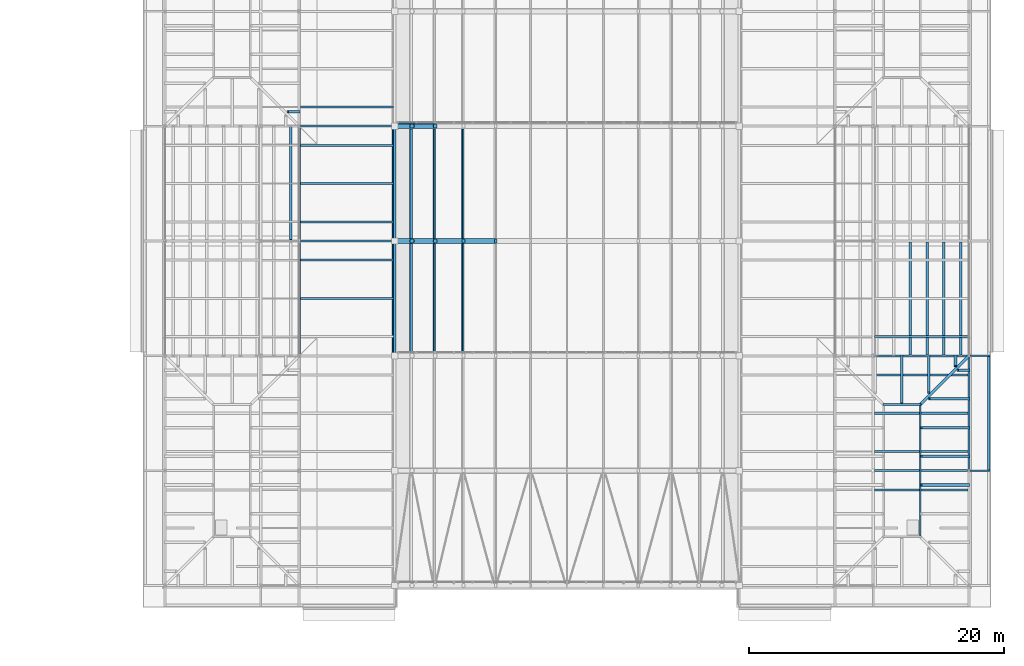
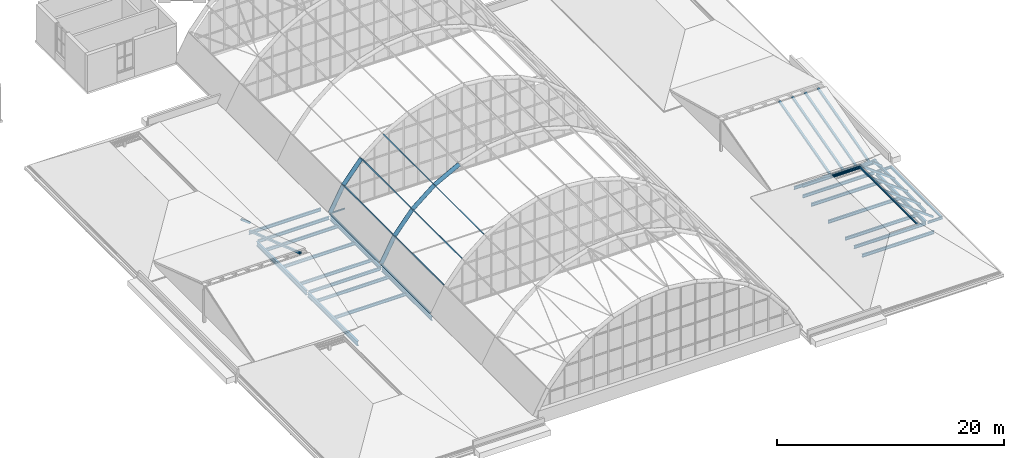
# One storey, part 32 of 121: 32 members, 25 beams, 1 element without a shape of its own.
"""IFC4 building model written with IfcOpenShell, lengths in metres."""

from ifc_helpers import new_model, si_unit, direction, frame, origin, origin_2d, place, context, subcontext, project, spatial, hollow_rectangle, hollow_circle, i_section, extrude, material, material_profile, profile_set, type_object, element, aggregate, save


model = new_model("IFC4")

# Units and contexts
model_context = context("Model", 3, precision=1e-05, world=origin(), true_north=direction((0.0, 1.0)))
body_context = subcontext(model_context, "Body", "Model", "MODEL_VIEW")
ifc_project = project(units=[si_unit("LENGTHUNIT", "METRE"), si_unit("AREAUNIT", "SQUARE_METRE"), si_unit("VOLUMEUNIT", "CUBIC_METRE"), si_unit("PLANEANGLEUNIT", "RADIAN"), si_unit("MASSUNIT", "GRAM", prefix="KILO")], contexts=[model_context])

# Site, building, storey
site_placement = place(None, origin())
site = spatial("IfcSite", under=ifc_project, at=site_placement, CompositionType="ELEMENT")
building_placement = place(site_placement, origin())
building = spatial("IfcBuilding", under=site, at=building_placement, Name="Golden Quay Civic Hall", CompositionType="ELEMENT")
storey_placement = place(building_placement, frame((0.0, 0.0, 18.60009765625)))
storey = spatial("IfcBuildingStorey", under=building, at=storey_placement, Name="L04", CompositionType="ELEMENT", Elevation=18.60009765625)

# Beams
ifc_material_1 = material(Name="Steel S355", Category="steel")
ifc_material_profile_1 = material_profile(ifc_material_1, i_section(OverallWidth=0.199951171875, OverallDepth=0.18994140625, WebThickness=0.006591796875, FlangeThickness=0.010009765625, FilletRadius=0.01806640625, at=origin_2d()), Name="HEA 200")
ifc_profile_set_1 = profile_set([ifc_material_profile_1], Name="Steel S355")
beam_type_1 = type_object("IfcBeamType", Name="Eave edge beam HEA 200", PredefinedType="BEAM", material=ifc_profile_set_1)
beam_1_placement = place(storey_placement, frame((118.550048828125, 9.0673828125, -0.34521484375), z_axis=(0.0, 1.0, 0.0), x_axis=(-1.0, 0.0, 0.0)))
element("IfcBeam", 1, at=beam_1_placement, inside=storey, type_object=beam_type_1, Name="Eave edge beam HEA 200 L04 17", PredefinedType="BEAM", context=body_context, shape_type="SweptSolid", body=[
    extrude(i_section(OverallWidth=0.199951171875, OverallDepth=0.18994140625, WebThickness=0.006591796875, FlangeThickness=0.010009765625, FilletRadius=0.01806640625, at=origin_2d()), origin(), (0.0, 0.0, 1.0), 8.865234375),
])
ifc_material_2 = material(Name="Steel S355", Category="steel")
ifc_material_profile_2 = material_profile(ifc_material_2, i_section(OverallWidth=0.135009765625, OverallDepth=0.27001953125, WebThickness=0.006591796875, FlangeThickness=0.01025390625, FilletRadius=0.014892578125, at=origin_2d()), Name="IPE 270")
ifc_profile_set_2 = profile_set([ifc_material_profile_2], Name="Steel S355")
beam_type_2 = type_object("IfcBeamType", Name="Eave stub IPE 270", PredefinedType="BEAM", material=ifc_profile_set_2)
for number, where, z_axis, x_axis, name in (
    (2, (117.10009765625, 9.0, -0.385009765625), (1.0, 0.0, 0.0), (0.0, 1.0, 0.0), "Eave stub IPE 270 L04 21"),
    (3, (117.10009765625, 18.0, -0.385009765625), (1.0, 0.0, 0.0), (0.0, 1.0, 0.0), "Eave stub IPE 270 L04 22"),
):
    element("IfcBeam", number, at=place(storey_placement, frame(where, z_axis=z_axis, x_axis=x_axis)), inside=storey, type_object=beam_type_2, Name=name, PredefinedType="BEAM", context=body_context, shape_type="SweptSolid", body=[
        extrude(i_section(OverallWidth=0.135009765625, OverallDepth=0.27001953125, WebThickness=0.006591796875, FlangeThickness=0.01025390625, FilletRadius=0.014892578125, at=origin_2d()), origin(), (0.0, 0.0, 1.0), 1.5498046875),
    ])

# Curtain wall, member
ifc_material_3 = material(Name="Fire-resisting glass and steel", Category="steel")
curtain_wall_type = type_object("IfcCurtainWallType", Name="Fire-resisting glazed curtain wall EI 120", PredefinedType="NOTDEFINED", material=ifc_material_3)
curtain_wall_placement = place(storey_placement, origin())
curtain_wall = element("IfcCurtainWall", 4, at=curtain_wall_placement, inside=storey, type_object=curtain_wall_type, Name="Curtain wall tympanum fire2", PredefinedType="NOTDEFINED")
ifc_material_4 = material(Name="Steel S355", Category="steel")
ifc_material_profile_3 = material_profile(ifc_material_4, hollow_rectangle(XDim=0.1201171875, YDim=0.1201171875, WallThickness=0.008056640625, at=origin_2d()), Name="SHS 120x120x8")
ifc_profile_set_3 = profile_set([ifc_material_profile_3], Name="Steel S355")
member_type_1 = type_object("IfcMemberType", Name="Fire-resisting steel transom SHS 120x120x8", PredefinedType="USERDEFINED", material=ifc_profile_set_3)
member_1_placement = place(storey_placement, frame((72.320068359375, 36.27001953125, -0.190185546875), z_axis=(1.0, 0.0, 0.0), x_axis=(0.0, 1.0, 0.0)))
member_1 = element("IfcMember", 5, at=member_1_placement, type_object=member_type_1, Name="Tympanum transom 1.1", ObjectType="TRANSOM", PredefinedType="USERDEFINED", context=body_context, shape_type="SweptSolid", body=[
    extrude(hollow_rectangle(XDim=0.1201171875, YDim=0.1201171875, WallThickness=0.008056640625, at=origin_2d()), origin(), (0.0, 0.0, 1.0), 1.297607421875),
])
aggregate(curtain_wall, [member_1])

# Members
ifc_material_5 = material(Name="Steel S355", Category="steel")
ifc_material_profile_4 = material_profile(ifc_material_5, hollow_circle(Radius=0.203125, WallThickness=0.01611328125, at=origin_2d()), Name="CHS 406.4x16")
ifc_profile_set_4 = profile_set([ifc_material_profile_4], Name="Steel S355")
member_type_2 = type_object("IfcMemberType", Name="Steel arch rib CHS 406.4x16", PredefinedType="USERDEFINED", material=ifc_profile_set_4)
for number, where, z_axis, x_axis, name in (
    (6, (72.0, 27.0, 0.099853515625), (0.473092307375, 0.0, 0.881012865231), (0.0, 1.0, 0.0), "Arch rib 4 segment 1"),
    (7, (73.35400390625, 27.0, 2.621337890625), (0.635608575128, 0.0, 0.772011489049), (0.0, 1.0, 0.0), "Arch rib 4 segment 2"),
):
    element("IfcMember", number, at=place(storey_placement, frame(where, z_axis=z_axis, x_axis=x_axis)), inside=storey, type_object=member_type_2, Name=name, ObjectType="ARCH RIB", PredefinedType="USERDEFINED", context=body_context, shape_type="SweptSolid", body=[
        extrude(hollow_circle(Radius=0.203125, WallThickness=0.01611328125, at=origin_2d()), origin(), (0.0, 0.0, 1.0), 2.862060546875),
    ])
for number, where, z_axis, x_axis, name in (
    (8, (75.173095703125, 27.0, 4.830810546875), (0.773786223221, 0.0, 0.633446825514), (0.0, 1.0, 0.0), "Arch rib 4 segment 3"),
    (9, (77.387451171875, 27.0, 6.6435546875), (0.882326964097, 0.0, 0.470636939082), (0.0, 1.0, 0.0), "Arch rib 4 segment 4"),
):
    element("IfcMember", number, at=place(storey_placement, frame(where, z_axis=z_axis, x_axis=x_axis)), inside=storey, type_object=member_type_2, Name=name, ObjectType="ARCH RIB", PredefinedType="USERDEFINED", context=body_context, shape_type="SweptSolid", body=[
        extrude(hollow_circle(Radius=0.203125, WallThickness=0.01611328125, at=origin_2d()), origin(), (0.0, 0.0, 1.0), 2.86181640625),
    ])
for number, where, z_axis, x_axis, name in (
    (10, (72.0, 36.0, 0.099853515625), (0.473092307375, 0.0, 0.881012865231), (0.0, 1.0, 0.0), "Arch rib 5 segment 1"),
    (11, (73.35400390625, 36.0, 2.621337890625), (0.635608575128, 0.0, 0.772011489049), (0.0, 1.0, 0.0), "Arch rib 5 segment 2"),
):
    element("IfcMember", number, at=place(storey_placement, frame(where, z_axis=z_axis, x_axis=x_axis)), inside=storey, type_object=member_type_2, Name=name, ObjectType="ARCH RIB", PredefinedType="USERDEFINED", context=body_context, shape_type="SweptSolid", body=[
        extrude(hollow_circle(Radius=0.203125, WallThickness=0.01611328125, at=origin_2d()), origin(), (0.0, 0.0, 1.0), 2.862060546875),
    ])

# Beams
ifc_material_6 = material(Name="Steel S355", Category="steel")
ifc_material_profile_5 = material_profile(ifc_material_6, i_section(OverallWidth=0.159912109375, OverallDepth=0.330078125, WebThickness=0.007568359375, FlangeThickness=0.011474609375, FilletRadius=0.01806640625, at=origin_2d()), Name="IPE 330")
ifc_profile_set_5 = profile_set([ifc_material_profile_5], Name="Steel S355")
beam_type_3 = type_object("IfcBeamType", Name="Steel beam IPE 330", PredefinedType="BEAM", material=ifc_profile_set_5)
for number, where, z_axis, x_axis, name in (
    (12, (64.6201171875, 27.0, -0.4150390625), (1.0, 0.0, 0.0), (0.0, 1.0, 0.0), "Beam S27-64.5"),
    (13, (64.6201171875, 36.0, -0.4150390625), (1.0, 0.0, 0.0), (0.0, 1.0, 0.0), "Beam S36-64.5"),
    (14, (109.6201171875, 9.0, -0.4150390625), (1.0, 0.0, 0.0), (0.0, 1.0, 0.0), "Beam S9-109.5"),
    (15, (109.6201171875, 18.0, -0.4150390625), (1.0, 0.0, 0.0), (0.0, 1.0, 0.0), "Beam S18-109.5"),
):
    element("IfcBeam", number, at=place(storey_placement, frame(where, z_axis=z_axis, x_axis=x_axis)), inside=storey, type_object=beam_type_3, Name=name, PredefinedType="BEAM", context=body_context, shape_type="SweptSolid", body=[
        extrude(i_section(OverallWidth=0.159912109375, OverallDepth=0.330078125, WebThickness=0.007568359375, FlangeThickness=0.011474609375, FilletRadius=0.01806640625, at=origin_2d()), origin(), (0.0, 0.0, 1.0), 7.27978515625),
    ])
ifc_material_7 = material(Name="Steel S355", Category="steel")
ifc_material_profile_6 = material_profile(ifc_material_7, i_section(OverallWidth=0.179931640625, OverallDepth=0.39990234375, WebThickness=0.008544921875, FlangeThickness=0.013427734375, FilletRadius=0.02099609375, at=origin_2d()), Name="IPE 400")
ifc_profile_set_6 = profile_set([ifc_material_profile_6], Name="Steel S355")
beam_type_4 = type_object("IfcBeamType", Name="Steel beam IPE 400", PredefinedType="BEAM", material=ifc_profile_set_6)
for number, where, z_axis, x_axis, name in (
    (16, (72.0, 18.094970703125, -0.4501953125), (0.0, 1.0, 0.0), (-1.0, 0.0, 0.0), "Beam L72-18"),
    (17, (72.0, 27.094970703125, -0.4501953125), (0.0, 1.0, 0.0), (-1.0, 0.0, 0.0), "Beam L72-27"),
    (18, (117.0, 9.094970703125, -0.4501953125), (0.0, 1.0, 0.0), (-1.0, 0.0, 0.0), "Beam L117-9"),
):
    element("IfcBeam", number, at=place(storey_placement, frame(where, z_axis=z_axis, x_axis=x_axis)), inside=storey, type_object=beam_type_4, Name=name, PredefinedType="BEAM", context=body_context, shape_type="SweptSolid", body=[
        extrude(i_section(OverallWidth=0.179931640625, OverallDepth=0.39990234375, WebThickness=0.008544921875, FlangeThickness=0.013427734375, FilletRadius=0.02099609375, at=origin_2d()), origin(), (0.0, 0.0, 1.0), 8.81005859375),
    ])
ifc_material_8 = material(Name="Steel S355", Category="steel")
ifc_material_profile_7 = material_profile(ifc_material_8, i_section(OverallWidth=0.199951171875, OverallDepth=0.5, WebThickness=0.01025390625, FlangeThickness=0.01611328125, FilletRadius=0.02099609375, at=origin_2d()), Name="IPE 500")
ifc_profile_set_7 = profile_set([ifc_material_profile_7], Name="Steel S355")
beam_type_5 = type_object("IfcBeamType", Name="Steel beam IPE 500", PredefinedType="BEAM", material=ifc_profile_set_7)
for number, where, z_axis, x_axis, name in (
    (19, (64.5, 18.114990234375, -0.5), (0.0, 1.0, 0.0), (-1.0, 0.0, 0.0), "Beam L64.5-18"),
    (20, (64.5, 27.114990234375, -0.5), (0.0, 1.0, 0.0), (-1.0, 0.0, 0.0), "Beam L64.5-27"),
):
    element("IfcBeam", number, at=place(storey_placement, frame(where, z_axis=z_axis, x_axis=x_axis)), inside=storey, type_object=beam_type_5, Name=name, PredefinedType="BEAM", context=body_context, shape_type="SweptSolid", body=[
        extrude(i_section(OverallWidth=0.199951171875, OverallDepth=0.5, WebThickness=0.01025390625, FlangeThickness=0.01611328125, FilletRadius=0.02099609375, at=origin_2d()), origin(), (0.0, 0.0, 1.0), 8.77001953125),
    ])

# Members
ifc_material_9 = material(Name="Steel S355", Category="steel")
ifc_material_profile_8 = material_profile(ifc_material_9, hollow_rectangle(XDim=0.199951171875, YDim=0.199951171875, WallThickness=0.010009765625, at=origin_2d()), Name="SHS 200x200x10")
ifc_profile_set_8 = profile_set([ifc_material_profile_8], Name="Steel S355")
member_type_3 = type_object("IfcMemberType", Name="Steel jack rafter SHS 200x200x10", PredefinedType="RAFTER", material=ifc_profile_set_8)
member_2_placement = place(storey_placement, frame((111.75, 18.0, 0.96484375), z_axis=(0.0, -0.8, 0.6), x_axis=(1.0, 0.0, 0.0)))
element("IfcMember", 21, at=member_2_placement, inside=storey, type_object=member_type_3, Name="Jack rafter EM-S north 3", PredefinedType="RAFTER", context=body_context, shape_type="SweptSolid", body=[
    extrude(hollow_rectangle(XDim=0.199951171875, YDim=0.199951171875, WallThickness=0.010009765625, at=origin_2d()), origin(), (0.0, 0.0, 1.0), 4.6875),
])
member_3_placement = place(storey_placement, frame((113.85009765625, 18.0, 0.96484375), z_axis=(0.0, -0.799983835699, 0.600021551797), x_axis=(1.0, 0.0, 0.0)))
element("IfcMember", 22, at=member_3_placement, inside=storey, type_object=member_type_3, Name="Jack rafter EM-S north 4", PredefinedType="RAFTER", context=body_context, shape_type="SweptSolid", body=[
    extrude(hollow_rectangle(XDim=0.199951171875, YDim=0.199951171875, WallThickness=0.010009765625, at=origin_2d()), origin(), (0.0, 0.0, 1.0), 3.625),
])
member_4_placement = place(storey_placement, frame((115.949951171875, 18.0, 0.96484375), z_axis=(0.0, -0.799970705032, 0.600039057971), x_axis=(1.0, 0.0, 0.0)))
element("IfcMember", 23, at=member_4_placement, inside=storey, type_object=member_type_3, Name="Jack rafter EM-S north 5", PredefinedType="RAFTER", context=body_context, shape_type="SweptSolid", body=[
    extrude(hollow_rectangle(XDim=0.199951171875, YDim=0.199951171875, WallThickness=0.010009765625, at=origin_2d()), origin(), (0.0, 0.0, 1.0), 1.0),
])
for number, where, z_axis, x_axis, name in (
    (24, (117.0, 7.875, 0.96484375), (-0.8, 0.0, 0.6), (0.0, -1.0, 0.0), "Jack rafter EM-S east 4"),
    (25, (117.0, 10.125, 0.96484375), (-0.8, 0.0, 0.6), (0.0, -1.0, 0.0), "Jack rafter EM-S east 5"),
    (26, (117.0, 12.375, 0.96484375), (-0.8, 0.0, 0.6), (0.0, -1.0, 0.0), "Jack rafter EM-S east 6"),
):
    element("IfcMember", number, at=place(storey_placement, frame(where, z_axis=z_axis, x_axis=x_axis)), inside=storey, type_object=member_type_3, Name=name, PredefinedType="RAFTER", context=body_context, shape_type="SweptSolid", body=[
        extrude(hollow_rectangle(XDim=0.199951171875, YDim=0.199951171875, WallThickness=0.010009765625, at=origin_2d()), origin(), (0.0, 0.0, 1.0), 4.6875),
    ])
member_5_placement = place(storey_placement, frame((117.0, 14.625, 0.96484375), z_axis=(-0.8, 0.0, 0.6), x_axis=(0.0, -1.0, 0.0)))
element("IfcMember", 27, at=member_5_placement, inside=storey, type_object=member_type_3, Name="Jack rafter EM-S east 7", PredefinedType="RAFTER", context=body_context, shape_type="SweptSolid", body=[
    extrude(hollow_rectangle(XDim=0.199951171875, YDim=0.199951171875, WallThickness=0.010009765625, at=origin_2d()), origin(), (0.0, 0.0, 1.0), 3.90625),
])
for number, where, z_axis, x_axis, name in (
    (28, (117.0, 16.875, 0.96484375), (-0.8, 0.0, 0.6), (0.0, -1.0, 0.0), "Jack rafter EM-S east 8"),
    (29, (64.5, 37.125, 0.96484375), (-0.8, 0.0, 0.6), (0.0, -1.0, 0.0), "Jack rafter WM-N east 1"),
):
    element("IfcMember", number, at=place(storey_placement, frame(where, z_axis=z_axis, x_axis=x_axis)), inside=storey, type_object=member_type_3, Name=name, PredefinedType="RAFTER", context=body_context, shape_type="SweptSolid", body=[
        extrude(hollow_rectangle(XDim=0.199951171875, YDim=0.199951171875, WallThickness=0.010009765625, at=origin_2d()), origin(), (0.0, 0.0, 1.0), 1.09375),
    ])
for number, where, z_axis, x_axis, name in (
    (30, (112.40625, 18.0, 0.988525390625), (0.0, 0.965021507217, 0.262170727977), (-1.0, 0.0, 0.0), "Gable rafter south 5"),
    (31, (113.71875, 18.0, 0.988525390625), (0.0, 0.965021507217, 0.262170727977), (-1.0, 0.0, 0.0), "Gable rafter south 6"),
    (32, (115.03125, 18.0, 0.988525390625), (0.0, 0.965021507217, 0.262170727977), (-1.0, 0.0, 0.0), "Gable rafter south 7"),
    (33, (116.34375, 18.0, 0.988525390625), (0.0, 0.965021507217, 0.262170727977), (-1.0, 0.0, 0.0), "Gable rafter south 8"),
):
    element("IfcMember", number, at=place(storey_placement, frame(where, z_axis=z_axis, x_axis=x_axis)), inside=storey, type_object=member_type_3, Name=name, PredefinedType="RAFTER", context=body_context, shape_type="SweptSolid", body=[
        extrude(hollow_rectangle(XDim=0.199951171875, YDim=0.199951171875, WallThickness=0.010009765625, at=origin_2d()), origin(), (0.0, 0.0, 1.0), 9.253662109375),
    ])
member_6_placement = place(storey_placement, frame((63.84375, 36.0, 0.990478515625), z_axis=(0.0, -0.947254558797, 0.320482138095), x_axis=(1.0, 0.0, 0.0)))
element("IfcMember", 34, at=member_6_placement, inside=storey, type_object=member_type_3, Name="Gable rafter north 8", PredefinedType="RAFTER", context=body_context, shape_type="SweptSolid", body=[
    extrude(hollow_rectangle(XDim=0.199951171875, YDim=0.199951171875, WallThickness=0.010009765625, at=origin_2d()), origin(), (0.0, 0.0, 1.0), 9.42724609375),
])

# Beams
ifc_material_10 = material(Name="Steel S355", Category="steel")
ifc_material_profile_9 = material_profile(ifc_material_10, i_section(OverallWidth=0.159912109375, OverallDepth=0.330078125, WebThickness=0.007568359375, FlangeThickness=0.011474609375, FilletRadius=0.01806640625, at=origin_2d()), Name="IPE 330")
ifc_profile_set_9 = profile_set([ifc_material_profile_9], Name="Steel S355")
beam_type_6 = type_object("IfcBeamType", Name="Steel joist IPE 330", PredefinedType="JOIST", material=ifc_profile_set_9)
for number, where, z_axis, x_axis, name in (
    (35, (64.60009765625, 22.5, -0.4150390625), (1.0, 0.0, 0.0), (0.0, 1.0, 0.0), "Joist J22.5-64.5"),
    (36, (64.60009765625, 25.5, -0.4150390625), (1.0, 0.0, 0.0), (0.0, 1.0, 0.0), "Joist J25.5-64.5"),
    (37, (64.60009765625, 28.5, -0.4150390625), (1.0, 0.0, 0.0), (0.0, 1.0, 0.0), "Joist J28.5-64.5"),
    (38, (64.60009765625, 31.5, -0.4150390625), (1.0, 0.0, 0.0), (0.0, 1.0, 0.0), "Joist J31.5-64.5"),
    (39, (64.60009765625, 34.5, -0.4150390625), (1.0, 0.0, 0.0), (0.0, 1.0, 0.0), "Joist J34.5-64.5"),
    (40, (64.60009765625, 37.5, -0.4150390625), (1.0, 0.0, 0.0), (0.0, 1.0, 0.0), "Joist J37.5-64.5"),
    (41, (109.60009765625, 7.5, -0.4150390625), (1.0, 0.0, 0.0), (0.0, 1.0, 0.0), "Joist J7.5-109.5"),
    (42, (109.60009765625, 10.5, -0.4150390625), (1.0, 0.0, 0.0), (0.0, 1.0, 0.0), "Joist J10.5-109.5"),
    (43, (109.60009765625, 13.5, -0.4150390625), (1.0, 0.0, 0.0), (0.0, 1.0, 0.0), "Joist J13.5-109.5"),
    (44, (109.60009765625, 16.5, -0.4150390625), (1.0, 0.0, 0.0), (0.0, 1.0, 0.0), "Joist J16.5-109.5"),
    (45, (109.60009765625, 19.5, -0.4150390625), (1.0, 0.0, 0.0), (0.0, 1.0, 0.0), "Joist J19.5-109.5"),
):
    element("IfcBeam", number, at=place(storey_placement, frame(where, z_axis=z_axis, x_axis=x_axis)), inside=storey, type_object=beam_type_6, Name=name, PredefinedType="JOIST", context=body_context, shape_type="SweptSolid", body=[
        extrude(i_section(OverallWidth=0.159912109375, OverallDepth=0.330078125, WebThickness=0.007568359375, FlangeThickness=0.011474609375, FilletRadius=0.01806640625, at=origin_2d()), origin(), (0.0, 0.0, 1.0), 7.309814453125),
    ])

# Members
ifc_material_11 = material(Name="Steel S355", Category="steel")
ifc_material_profile_10 = material_profile(ifc_material_11, hollow_rectangle(XDim=0.199951171875, YDim=0.199951171875, WallThickness=0.010009765625, at=origin_2d()), Name="SHS 200x200x10")
ifc_profile_set_10 = profile_set([ifc_material_profile_10], Name="Steel S355")
member_type_4 = type_object("IfcMemberType", Name="Steel pavilion hip rafter SHS 200x200x10", PredefinedType="RAFTER", material=ifc_profile_set_10)
member_7_placement = place(storey_placement, frame((117.0, 18.0, 0.92822265625), z_axis=(-0.625782928891, -0.625782928891, 0.465608689584), x_axis=(0.707106781187, -0.707106781187, 0.0)))
element("IfcMember", 46, at=member_7_placement, inside=storey, type_object=member_type_4, Name="Hip rafter EM-S north-east", PredefinedType="RAFTER", context=body_context, shape_type="SweptSolid", body=[
    extrude(hollow_rectangle(XDim=0.199951171875, YDim=0.199951171875, WallThickness=0.010009765625, at=origin_2d()), origin(), (0.0, 0.0, 1.0), 6.04052734375),
])
ifc_material_12 = material(Name="Steel S355", Category="steel")
ifc_material_profile_11 = material_profile(ifc_material_12, hollow_rectangle(XDim=0.10009765625, YDim=0.199951171875, WallThickness=0.008056640625, at=origin_2d()), Name="RHS 200x100x8")
ifc_profile_set_11 = profile_set([ifc_material_profile_11], Name="Steel S355")
member_type_5 = type_object("IfcMemberType", Name="Steel purlin RHS 200x100x8", PredefinedType="PURLIN", material=ifc_profile_set_11)
for number, where, z_axis, x_axis, name in (
    (47, (71.90478515625, 18.203125, 0.1396484375), (0.0, 1.0, 0.0), (-0.384615384615, 0.0, -0.923076923077), "Purlin 3.1"),
    (48, (73.268310546875, 18.203125, 2.6787109375), (0.0, 1.0, 0.0), (-0.557018943033, 0.0, -0.830499787539), "Purlin 3.2"),
    (49, (75.10009765625, 18.203125, 4.90380859375), (0.0, 1.0, 0.0), (-0.708092289314, 0.0, -0.70611989762), "Purlin 3.3"),
    (50, (77.330322265625, 18.203125, 6.7294921875), (0.0, 1.0, 0.0), (-0.832050294338, 0.0, -0.554700196226), "Purlin 3.4"),
    (51, (71.90478515625, 27.203125, 0.1396484375), (0.0, 1.0, 0.0), (-0.384615384615, 0.0, -0.923076923077), "Purlin 4.1"),
    (52, (73.268310546875, 27.203125, 2.6787109375), (0.0, 1.0, 0.0), (-0.557018943033, 0.0, -0.830499787539), "Purlin 4.2"),
    (53, (75.10009765625, 27.203125, 4.90380859375), (0.0, 1.0, 0.0), (-0.708092289314, 0.0, -0.70611989762), "Purlin 4.3"),
    (54, (77.330322265625, 27.203125, 6.7294921875), (0.0, 1.0, 0.0), (-0.832050294338, 0.0, -0.554700196226), "Purlin 4.4"),
):
    element("IfcMember", number, at=place(storey_placement, frame(where, z_axis=z_axis, x_axis=x_axis)), inside=storey, type_object=member_type_5, Name=name, PredefinedType="PURLIN", context=body_context, shape_type="SweptSolid", body=[
        extrude(hollow_rectangle(XDim=0.10009765625, YDim=0.199951171875, WallThickness=0.008056640625, at=origin_2d()), origin(), (0.0, 0.0, 1.0), 8.59375),
    ])
ifc_material_13 = material(Name="Steel S355", Category="steel")
ifc_material_profile_12 = material_profile(ifc_material_13, hollow_rectangle(XDim=0.1201171875, YDim=0.1201171875, WallThickness=0.008056640625, at=origin_2d()), Name="SHS 120x120x8")
ifc_profile_set_12 = profile_set([ifc_material_profile_12], Name="Steel S355")
member_type_6 = type_object("IfcMemberType", Name="Steel roof purlin SHS 120x120x8", PredefinedType="PURLIN", material=ifc_profile_set_12)
member_8_placement = place(storey_placement, frame((110.25, 14.18505859375, 3.84228515625), z_axis=(1.0, 0.0, 0.0), x_axis=(0.0, 1.0, 0.0)))
element("IfcMember", 55, at=member_8_placement, inside=storey, type_object=member_type_6, Name="Cap purlin EM-S north", PredefinedType="PURLIN", context=body_context, shape_type="SweptSolid", body=[
    extrude(hollow_rectangle(XDim=0.1201171875, YDim=0.1201171875, WallThickness=0.008056640625, at=origin_2d()), origin(), (0.0, 0.0, 1.0), 3.0),
])
member_9_placement = place(storey_placement, frame((113.18505859375, 3.8798828125, 3.84228515625), z_axis=(0.0, 1.0, 0.0), x_axis=(-1.0, 0.0, 0.0)))
element("IfcMember", 56, at=member_9_placement, inside=storey, type_object=member_type_6, Name="Cap purlin EM-S east", PredefinedType="PURLIN", context=body_context, shape_type="SweptSolid", body=[
    extrude(hollow_rectangle(XDim=0.1201171875, YDim=0.1201171875, WallThickness=0.008056640625, at=origin_2d()), origin(), (0.0, 0.0, 1.0), 10.240234375),
])

# Beams
ifc_material_14 = material(Name="Steel S355", Category="steel")
ifc_material_profile_13 = material_profile(ifc_material_14, i_section(OverallWidth=0.159912109375, OverallDepth=0.330078125, WebThickness=0.007568359375, FlangeThickness=0.011474609375, FilletRadius=0.01806640625, at=origin_2d()), Name="IPE 330")
ifc_profile_set_13 = profile_set([ifc_material_profile_13], Name="Steel S355")
beam_type_7 = type_object("IfcBeamType", Name="Steel wall plate beam IPE 330", PredefinedType="BEAM", material=ifc_profile_set_13)
beam_2_placement = place(storey_placement, frame((109.6201171875, 18.0, 0.719970703125), z_axis=(1.0, 0.0, 0.0), x_axis=(0.0, 1.0, 0.0)))
element("IfcBeam", 57, at=beam_2_placement, inside=storey, type_object=beam_type_7, Name="Wall plate beam EM-S N2", PredefinedType="BEAM", context=body_context, shape_type="SweptSolid", body=[
    extrude(i_section(OverallWidth=0.159912109375, OverallDepth=0.330078125, WebThickness=0.007568359375, FlangeThickness=0.011474609375, FilletRadius=0.01806640625, at=origin_2d()), origin(), (0.0, 0.0, 1.0), 7.2998046875),
])
beam_3_placement = place(storey_placement, frame((117.0, 9.094970703125, 0.719970703125), z_axis=(0.0, 1.0, 0.0), x_axis=(-1.0, 0.0, 0.0)))
element("IfcBeam", 58, at=beam_3_placement, inside=storey, type_object=beam_type_7, Name="Wall plate beam EM-S E2", PredefinedType="BEAM", context=body_context, shape_type="SweptSolid", body=[
    extrude(i_section(OverallWidth=0.159912109375, OverallDepth=0.330078125, WebThickness=0.007568359375, FlangeThickness=0.011474609375, FilletRadius=0.01806640625, at=origin_2d()), origin(), (0.0, 0.0, 1.0), 8.905029296875),
])

save(model, "model.ifc")
